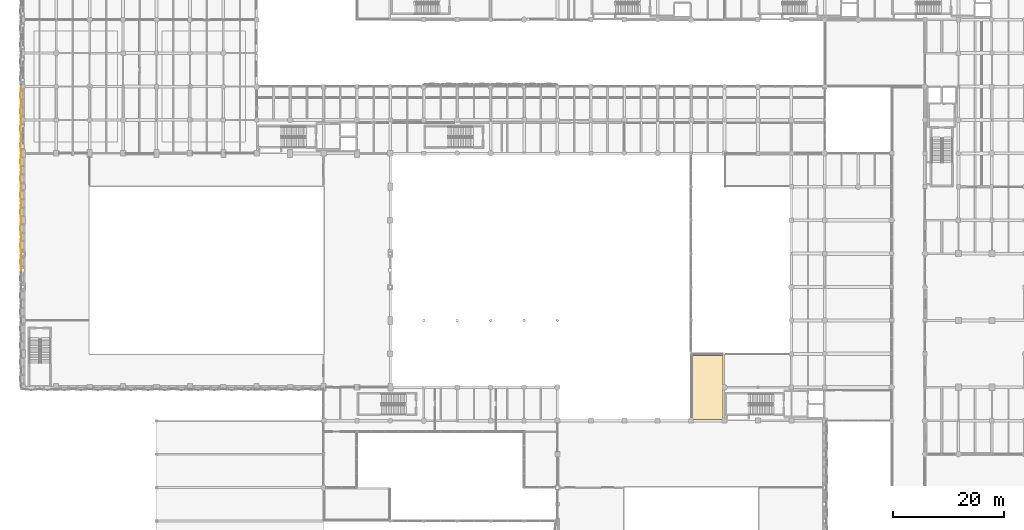
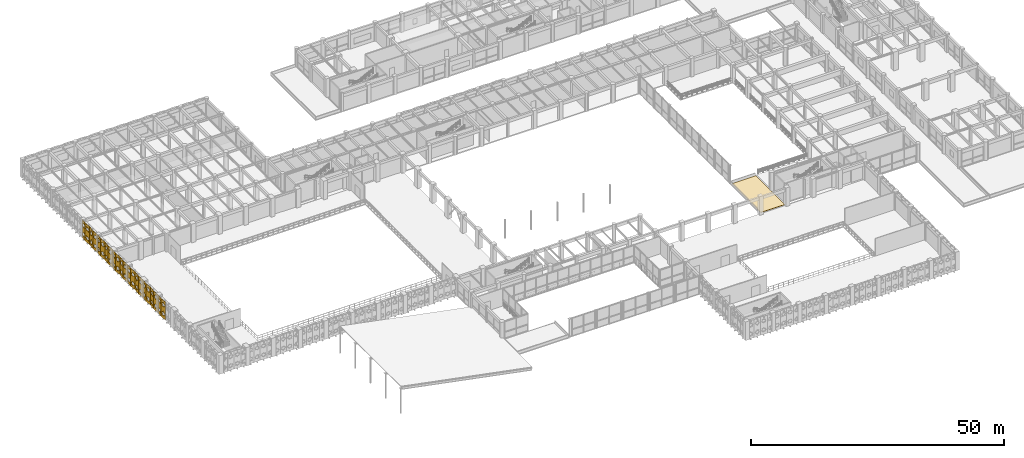
# One storey, part 125 of 133: 23 coverings.
"""IFC4 building model written with IfcOpenShell, lengths in metres."""

from ifc_helpers import new_model, si_unit, direction, frame, origin, place, context, subcontext, project, spatial, polyline, outline, extrude, material, layer, layer_set, type_object, element, save


model = new_model("IFC4")

# Units and contexts
model_context = context("Model", 3, precision=1e-05, world=origin(), true_north=direction((0.0, 1.0)))
body_context = subcontext(model_context, "Body", "Model", "MODEL_VIEW")
ifc_project = project(units=[si_unit("LENGTHUNIT", "METRE"), si_unit("AREAUNIT", "SQUARE_METRE"), si_unit("VOLUMEUNIT", "CUBIC_METRE"), si_unit("PLANEANGLEUNIT", "RADIAN"), si_unit("MASSUNIT", "GRAM", prefix="KILO"), si_unit("THERMODYNAMICTEMPERATUREUNIT", "KELVIN"), si_unit("POWERUNIT", "WATT")], contexts=[model_context])

# Site, building, storey
site_placement = place(None, origin())
site = spatial("IfcSite", under=ifc_project, at=site_placement, CompositionType="ELEMENT")
building_placement = place(site_placement, origin())
building = spatial("IfcBuilding", under=site, at=building_placement, Name="Phaisarnlok Congress Hotel", CompositionType="ELEMENT")
storey_placement = place(building_placement, frame((0.0, 0.0, 6.0)))
storey = spatial("IfcBuildingStorey", under=building, at=storey_placement, Name="L01", CompositionType="ELEMENT", Elevation=6.0)

# Coverings
ifc_material_1 = material(Name="TPO Waterproofing Membrane & Rigid PIR Insulation", Category="other")
ifc_layer_1 = layer(ifc_material_1, 0.050048828125, Name="TPO Waterproofing Membrane & Rigid PIR Insulation")
ifc_layer_set_1 = layer_set([ifc_layer_1], Name="TPO Waterproofing Membrane & Rigid PIR Insulation")
covering_type_1 = type_object("IfcCoveringType", Name="COV-ROOF-MEMB", PredefinedType="ROOFING", material=ifc_layer_set_1)
covering_placement = place(storey_placement, origin())
element("IfcCovering", 1, at=covering_placement, inside=storey, type_object=covering_type_1, Name="Podium roof waterproofing membrane RF-01 (L01 pod_foyer_se)", PredefinedType="ROOFING", context=body_context, shape_type="SweptSolid", body=[
    extrude(outline(polyline([(120.25, 36.25), (125.75, 36.25), (125.75, 47.75), (120.25, 47.75), (120.25, 36.25)])), origin(), (0.0, 0.0, 1.0), 0.050048828125),
])
ifc_material_2 = material(Name="PVDF White Perforated Aluminium Alloy 5052", Category="aluminium")
ifc_layer_2 = layer(ifc_material_2, 0.0400390625, Name="PVDF White Perforated Aluminium Alloy 5052")
ifc_layer_set_2 = layer_set([ifc_layer_2], Name="PVDF White Perforated Aluminium Alloy 5052")
covering_type_2 = type_object("IfcCoveringType", Name="COV-STAR-FOLD", PredefinedType="CLADDING", material=ifc_layer_set_2)
for number, where, z_axis, x_axis, name in (
    (2, (-0.300048828125, 63.0, 0.06005859375), (0.994517863207, 0.104566819602, 0.0), (-0.104566819602, 0.994517863207, 0.0), "Folded star-perforated hall screen SS-02 (V1W L01)"),
    (3, (-0.457763671875, 64.5, 0.06005859375), (0.994517863207, -0.104566819602, 0.0), (0.104566819602, 0.994517863207, 0.0), "Folded star-perforated hall screen SS-02 (V1W L01)"),
    (4, (-0.300048828125, 66.0, 0.06005859375), (0.994517863207, 0.104566819602, 0.0), (-0.104566819602, 0.994517863207, 0.0), "Folded star-perforated hall screen SS-02 (V1W L01)"),
    (5, (-0.457763671875, 67.5, 0.06005859375), (0.994517863207, -0.104566819602, 0.0), (0.104566819602, 0.994517863207, 0.0), "Folded star-perforated hall screen SS-02 (V1W L01)"),
    (6, (-0.300048828125, 69.0, 0.06005859375), (0.994517863207, 0.104566819602, 0.0), (-0.104566819602, 0.994517863207, 0.0), "Folded star-perforated hall screen SS-02 (V1W L01)"),
    (7, (-0.457763671875, 70.5, 0.06005859375), (0.994517863207, -0.104566819602, 0.0), (0.104566819602, 0.994517863207, 0.0), "Folded star-perforated hall screen SS-02 (V1W L01)"),
    (8, (-0.300048828125, 72.0, 0.06005859375), (0.994517863207, 0.104566819602, 0.0), (-0.104566819602, 0.994517863207, 0.0), "Folded star-perforated hall screen SS-02 (V1W L01)"),
    (9, (-0.457763671875, 73.5, 0.06005859375), (0.994517863207, -0.104566819602, 0.0), (0.104566819602, 0.994517863207, 0.0), "Folded star-perforated hall screen SS-02 (V1W L01)"),
    (10, (-0.300048828125, 75.0, 0.06005859375), (0.994517863207, 0.104566819602, 0.0), (-0.104566819602, 0.994517863207, 0.0), "Folded star-perforated hall screen SS-02 (V1W L01)"),
    (11, (-0.457763671875, 76.5, 0.06005859375), (0.994517863207, -0.104566819602, 0.0), (0.104566819602, 0.994517863207, 0.0), "Folded star-perforated hall screen SS-02 (V1W L01)"),
    (12, (-0.300048828125, 78.0, 0.06005859375), (0.994517863207, 0.104566819602, 0.0), (-0.104566819602, 0.994517863207, 0.0), "Folded star-perforated hall screen SS-02 (V1W L01)"),
    (13, (-0.457763671875, 79.5, 0.06005859375), (0.994517863207, -0.104566819602, 0.0), (0.104566819602, 0.994517863207, 0.0), "Folded star-perforated hall screen SS-02 (V1W L01)"),
    (14, (-0.300048828125, 81.0, 0.06005859375), (0.994517863207, 0.104566819602, 0.0), (-0.104566819602, 0.994517863207, 0.0), "Folded star-perforated hall screen SS-02 (V1W L01)"),
    (15, (-0.457763671875, 82.5, 0.06005859375), (0.994517863207, -0.104566819602, 0.0), (0.104566819602, 0.994517863207, 0.0), "Folded star-perforated hall screen SS-02 (V1W L01)"),
    (16, (-0.300048828125, 84.0, 0.06005859375), (0.994517863207, 0.104566819602, 0.0), (-0.104566819602, 0.994517863207, 0.0), "Folded star-perforated hall screen SS-02 (V3W L01)"),
    (17, (-0.457763671875, 85.5, 0.06005859375), (0.994517863207, -0.104566819602, 0.0), (0.104566819602, 0.994517863207, 0.0), "Folded star-perforated hall screen SS-02 (V3W L01)"),
    (18, (-0.300048828125, 87.0, 0.06005859375), (0.994517863207, 0.104566819602, 0.0), (-0.104566819602, 0.994517863207, 0.0), "Folded star-perforated hall screen SS-02 (V3W L01)"),
    (19, (-0.457763671875, 88.5, 0.06005859375), (0.994517863207, -0.104566819602, 0.0), (0.104566819602, 0.994517863207, 0.0), "Folded star-perforated hall screen SS-02 (V3W L01)"),
    (20, (-0.300048828125, 90.0, 0.06005859375), (0.994517863207, 0.104566819602, 0.0), (-0.104566819602, 0.994517863207, 0.0), "Folded star-perforated hall screen SS-02 (V3W L01)"),
    (21, (-0.457763671875, 91.5, 0.06005859375), (0.994517863207, -0.104566819602, 0.0), (0.104566819602, 0.994517863207, 0.0), "Folded star-perforated hall screen SS-02 (V3W L01)"),
    (22, (-0.300048828125, 93.0, 0.06005859375), (0.994517863207, 0.104566819602, 0.0), (-0.104566819602, 0.994517863207, 0.0), "Folded star-perforated hall screen SS-02 (V3W L01)"),
    (23, (-0.457763671875, 94.5, 0.06005859375), (0.994517863207, -0.104566819602, 0.0), (0.104566819602, 0.994517863207, 0.0), "Folded star-perforated hall screen SS-02 (V3W L01)"),
):
    element("IfcCovering", number, at=place(storey_placement, frame(where, z_axis=z_axis, x_axis=x_axis)), inside=storey, type_object=covering_type_2, Name=name, PredefinedType="CLADDING", context=body_context, shape_type="SweptSolid", body=[
        extrude(outline(polyline([(0.0, 0.0), (1.5082685344258453, 0.0), (1.5082685344258453, 4.35986328125), (0.0, 4.35986328125), (0.0, 0.0)]), holes=[polyline([(1.0351, 0.9736), (1.2021, 0.6421), (0.8705, 0.8091), (0.7541, 0.4565), (0.6378, 0.8091), (0.3062, 0.6421), (0.4732, 0.9736), (0.1207, 1.09), (0.4732, 1.2064), (0.3062, 1.5379), (0.6378, 1.3709), (0.7541, 1.7235), (0.8705, 1.3709), (1.2021, 1.5379), (1.0351, 1.2064), (1.3876, 1.09), (1.0351, 0.9736)]), polyline([(1.0351, 3.1536), (1.2021, 2.8221), (0.8705, 2.9891), (0.7541, 2.6365), (0.6378, 2.9891), (0.3062, 2.8221), (0.4732, 3.1536), (0.1207, 3.27), (0.4732, 3.3864), (0.3062, 3.7179), (0.6378, 3.5509), (0.7541, 3.9035), (0.8705, 3.5509), (1.2021, 3.7179), (1.0351, 3.3864), (1.3876, 3.27), (1.0351, 3.1536)])]), origin(), (0.0, 0.0, 1.0), 0.0400390625),
    ])

save(model, "model.ifc")
